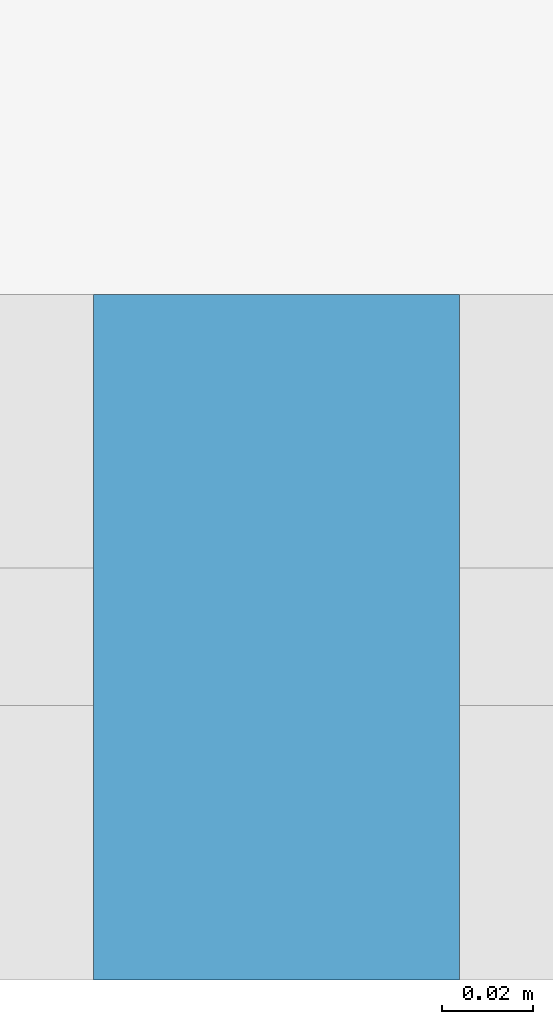
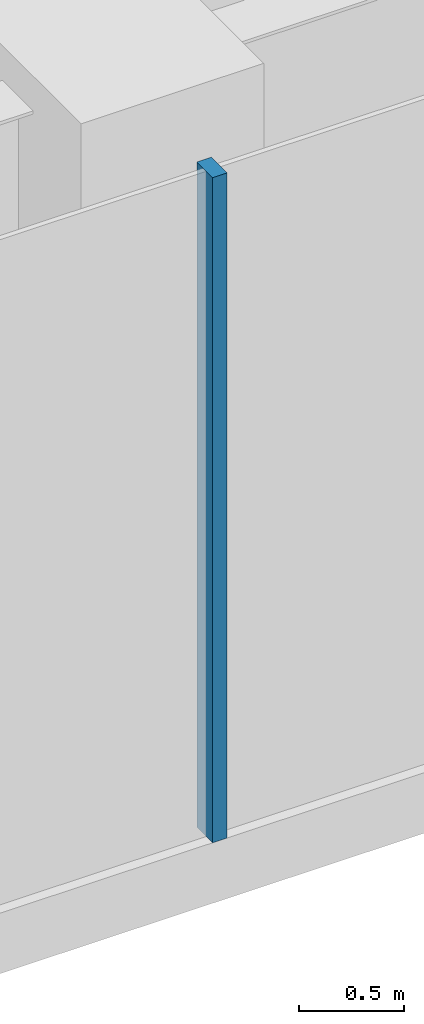
# One storey, part 5 of 25: 1 member, 1 element without a shape of its own.
"""IFC4 building model written with IfcOpenShell, lengths in metres."""

from ifc_helpers import new_model, si_unit, direction, frame, origin, origin_2d, place, context, subcontext, project, spatial, rectangle, extrude, material, layer, layer_set, material_profile, profile_set, type_object, element, aggregate, save


model = new_model("IFC4")

# Units and contexts
model_context = context("Model", 3, precision=1e-05, world=origin(), true_north=direction((0.0, 1.0)))
body_context = subcontext(model_context, "Body", "Model", "MODEL_VIEW")
ifc_project = project(units=[si_unit("LENGTHUNIT", "METRE"), si_unit("AREAUNIT", "SQUARE_METRE"), si_unit("VOLUMEUNIT", "CUBIC_METRE"), si_unit("PLANEANGLEUNIT", "RADIAN"), si_unit("MASSUNIT", "GRAM", prefix="KILO")], contexts=[model_context])

# Site, building, storey
site_placement = place(None, origin())
site = spatial("IfcSite", under=ifc_project, at=site_placement, CompositionType="ELEMENT")
building_placement = place(site_placement, origin())
building = spatial("IfcBuilding", under=site, at=building_placement, Name="Firuza Gate Tower and Library", CompositionType="ELEMENT")
storey_placement = place(building_placement, frame((0.0, 0.0, 61.0)))
storey = spatial("IfcBuildingStorey", under=building, at=storey_placement, Name="L13", CompositionType="ELEMENT", Elevation=61.0)

# Curtain wall, member
ifc_material_1 = material(Name="Aluminium 6063-T6", Category="aluminium")
ifc_layer = layer(ifc_material_1, 0.14990234375)
ifc_layer_set = layer_set([ifc_layer], Name="Unitised curtain wall, offices")
curtain_wall_type = type_object("IfcCurtainWallType", Name="Unitised curtain wall, offices", PredefinedType="NOTDEFINED", material=ifc_layer_set)
curtain_wall_placement = place(storey_placement, origin())
curtain_wall = element("IfcCurtainWall", 1, at=curtain_wall_placement, inside=storey, type_object=curtain_wall_type, Name="CW1 L13 S face", PredefinedType="NOTDEFINED")
ifc_material_2 = material(Name="Aluminium 6063-T6", Category="aluminium")
ifc_material_profile = material_profile(ifc_material_2, rectangle(XDim=0.14990234375, YDim=0.080078125, at=origin_2d()))
ifc_profile_set = profile_set([ifc_material_profile], Name="Aluminium 6063-T6")
member_type = type_object("IfcMemberType", Name="Curtain wall mullion 80x150", PredefinedType="MULLION", material=ifc_profile_set)
member_placement = place(storey_placement, frame((75.0, 54.25390625, 0.14990234375), z_axis=(0.0, 0.0, 1.0), x_axis=(0.0, 1.0, 0.0)))
member = element("IfcMember", 2, at=member_placement, type_object=member_type, Name="Mullion", PredefinedType="MULLION", context=body_context, shape_type="SweptSolid", body=[
    extrude(rectangle(XDim=0.14990234375, YDim=0.080078125, at=origin_2d()), origin(), (0.0, 0.0, 1.0), 3.85009765625),
])
aggregate(curtain_wall, [member])

save(model, "model.ifc")
